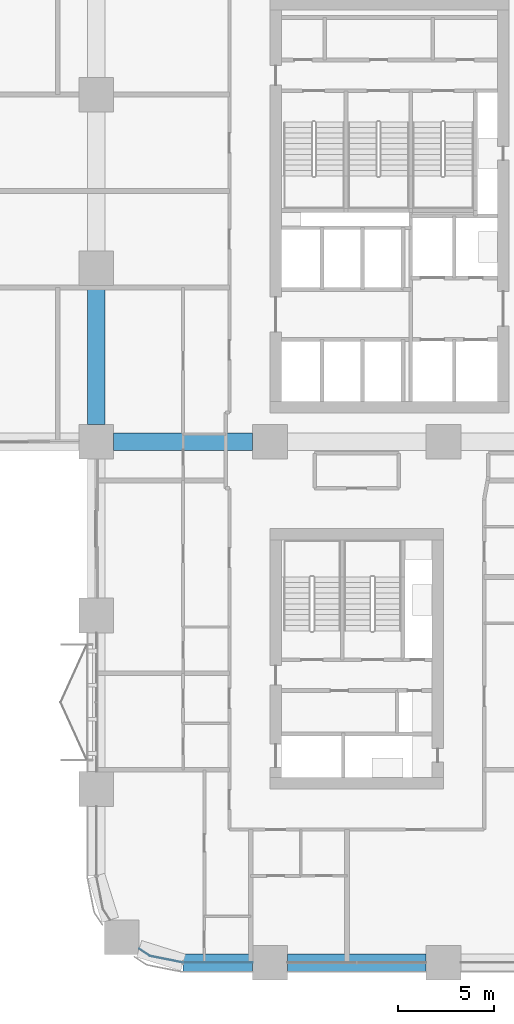
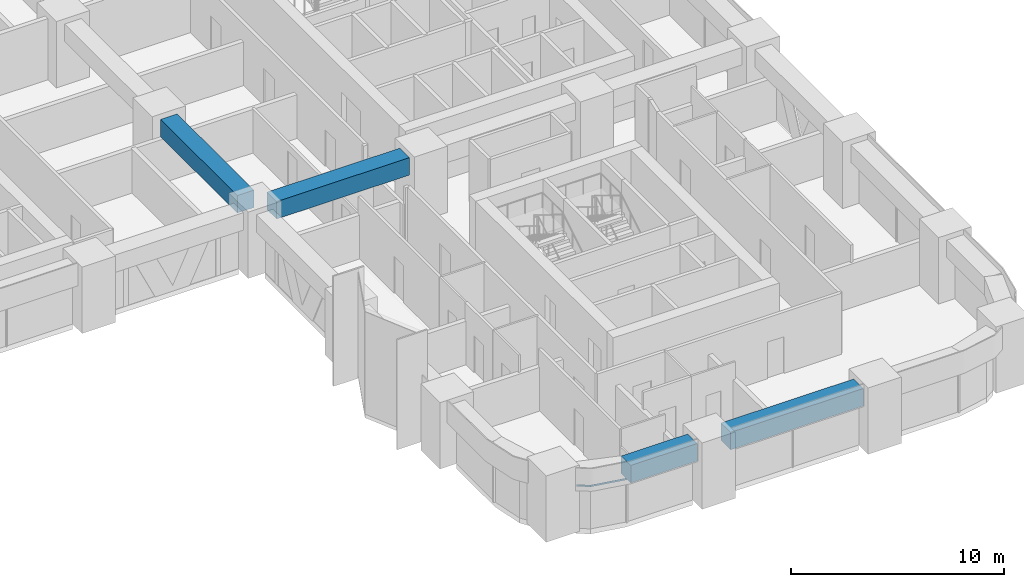
# One storey, part 4 of 19: 4 beams, 1 member, 1 element without a shape of its own.
"""IFC4 building model written with IfcOpenShell, lengths in metres."""

from ifc_helpers import new_model, si_unit, direction, frame, origin, origin_2d, place, context, subcontext, project, spatial, polyline, rectangle, outline, extrude, material, material_profile, profile_set, type_object, element, aggregate, save


model = new_model("IFC4")

# Units and contexts
model_context = context("Model", 3, precision=1e-05, world=origin(), true_north=direction((0.0, 1.0)))
body_context = subcontext(model_context, "Body", "Model", "MODEL_VIEW")
ifc_project = project(units=[si_unit("LENGTHUNIT", "METRE"), si_unit("AREAUNIT", "SQUARE_METRE"), si_unit("VOLUMEUNIT", "CUBIC_METRE"), si_unit("PLANEANGLEUNIT", "RADIAN"), si_unit("MASSUNIT", "GRAM", prefix="KILO")], contexts=[model_context])

# Site, building, storey
site_placement = place(None, origin())
site = spatial("IfcSite", under=ifc_project, at=site_placement, CompositionType="ELEMENT")
building_placement = place(site_placement, origin())
building = spatial("IfcBuilding", under=site, at=building_placement, Name="Tessera Arch", CompositionType="ELEMENT")
storey_placement = place(building_placement, frame((0.0, 0.0, 85.39990234375)))
storey = spatial("IfcBuildingStorey", under=building, at=storey_placement, Name="L19", CompositionType="ELEMENT", Elevation=85.39990234375)

# Curtain wall, member
ifc_material_1 = material(Name="CW2 curtain wall")
curtain_wall_type = type_object("IfcCurtainWallType", Name="CW2 curtain wall", PredefinedType="NOTDEFINED", material=ifc_material_1)
curtain_wall_placement = place(storey_placement, origin())
curtain_wall = element("IfcCurtainWall", 1, at=curtain_wall_placement, inside=storey, type_object=curtain_wall_type, Name="CW2 curtain wall S0.27/0 L19", PredefinedType="NOTDEFINED")
ifc_material_2 = material(Name="Anodised aluminium pale metal", Category="aluminium")
ifc_material_profile_1 = material_profile(ifc_material_2, rectangle(XDim=0.199951171875, YDim=0.10009765625, at=origin_2d()), Name="AL 200x100")
ifc_profile_set_1 = profile_set([ifc_material_profile_1], Name="Anodised aluminium pale metal")
member_type = type_object("IfcMemberType", Name="CW2 transom", PredefinedType="USERDEFINED", material=ifc_profile_set_1)
member_placement = place(storey_placement, frame((0.0, 0.0, 2.400146484375)))
member = element("IfcMember", 2, at=member_placement, type_object=member_type, Name="CW2 transom S0.27/0 1", ObjectType="TRANSOM", PredefinedType="USERDEFINED", context=body_context, shape_type="SweptSolid", body=[
    extrude(outline(polyline([(29.78173828125, 0.351806640625), (29.2236328125, 0.72509765625), (29.21240234375, 0.70849609375), (29.77392578125, 0.3330078125), (31.4990234375, -0.010009765625), (35.10009765625, -0.010009765625), (35.10009765625, 0.010009765625), (31.5009765625, 0.010009765625), (29.78173828125, 0.351806640625)])), origin(), (0.0, 0.0, 1.0), 0.099853515625),
])
aggregate(curtain_wall, [member])

# Beams
ifc_material_3 = material(Name="Concrete C80/95", Category="concrete")
ifc_material_profile_2 = material_profile(ifc_material_3, rectangle(XDim=0.89990234375, YDim=1.0, at=origin_2d()), Name="RC spandrel beam 900 x 1000 Concrete C80/95")
ifc_profile_set_2 = profile_set([ifc_material_profile_2], Name="Concrete C80/95")
beam_type = type_object("IfcBeamType", Name="RC spandrel beam 900 x 1000 Concrete C80/95", PredefinedType="BEAM", material=ifc_profile_set_2)
beam_placement = place(storey_placement, frame((31.5, 0.0, 3.0), z_axis=(1.0, 0.0, 0.0), x_axis=(0.0, 1.0, 0.0)))
element("IfcBeam", 3, at=beam_placement, inside=storey, type_object=beam_type, Name="Spandrel beam L19 S0.27/0.2", PredefinedType="BEAM", context=body_context, shape_type="SweptSolid", body=[
    extrude(rectangle(XDim=0.89990234375, YDim=1.0, at=origin_2d()), origin(), (0.0, 0.0, 1.0), 3.60009765625),
])
for number, where, z_axis, x_axis, name in (
    (4, (36.89990234375, 0.0, 3.0), (1.0, 0.0, 0.0), (0.0, 1.0, 0.0), "Spandrel beam L19 S0.27/1"),
    (5, (27.0, 27.89990234375, 3.0), (0.0, 1.0, 0.0), (-1.0, 0.0, 0.0), "Interface beam L19 I0C4D-C4E"),
    (6, (27.89990234375, 27.0, 3.0), (1.0, 0.0, 0.0), (0.0, 1.0, 0.0), "Interface beam L19 I1C4D-C5D"),
):
    element("IfcBeam", number, at=place(storey_placement, frame(where, z_axis=z_axis, x_axis=x_axis)), inside=storey, type_object=beam_type, Name=name, PredefinedType="BEAM", context=body_context, shape_type="SweptSolid", body=[
        extrude(rectangle(XDim=0.89990234375, YDim=1.0, at=origin_2d()), origin(), (0.0, 0.0, 1.0), 7.2001953125),
    ])

save(model, "model.ifc")
